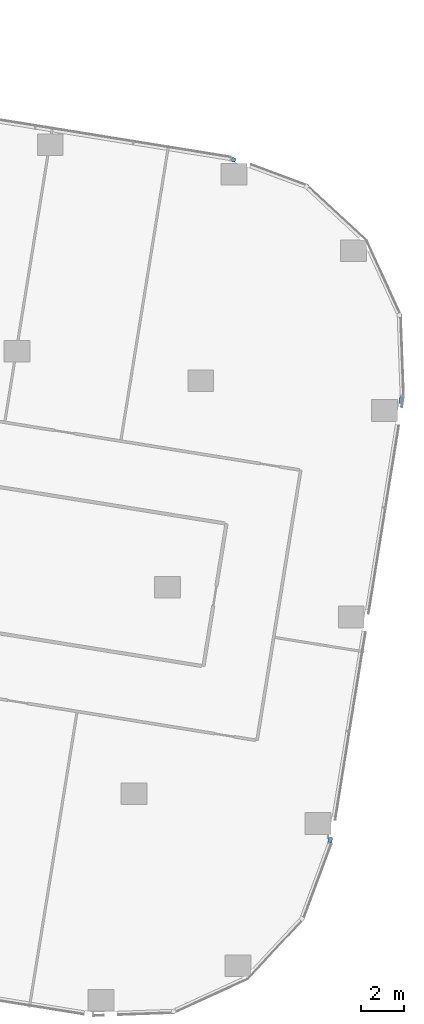
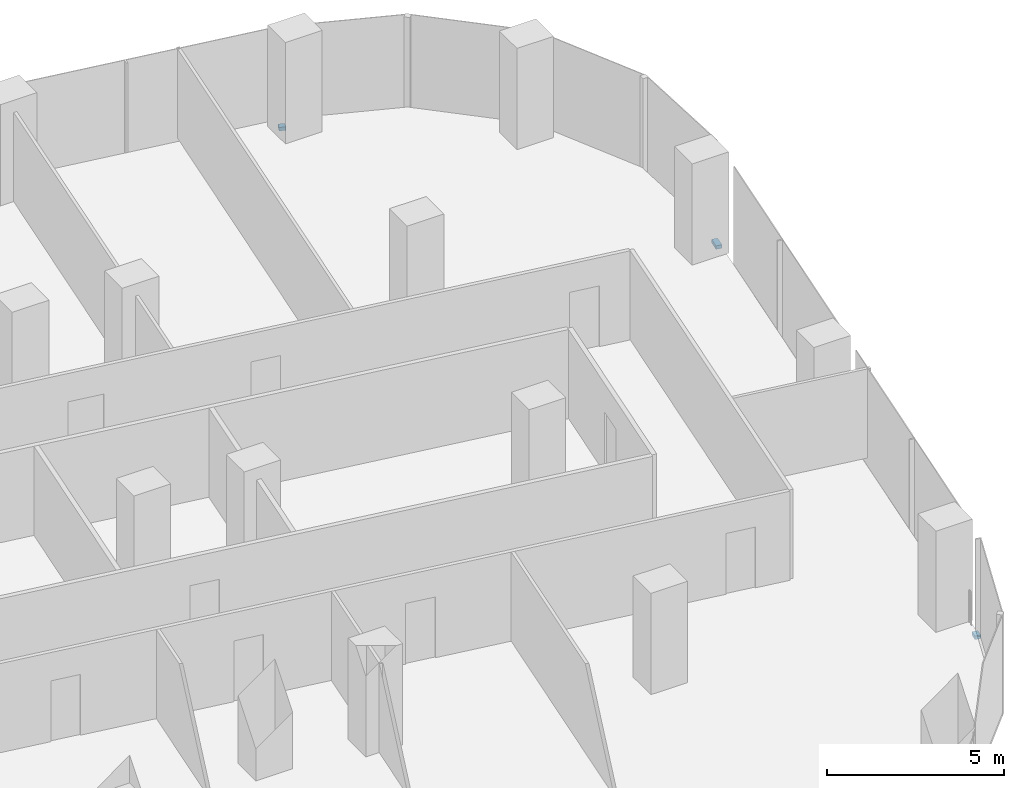
# One storey, part 17 of 34: 3 members, 2 elements without a shape of their own.
"""IFC4 building model written with IfcOpenShell, lengths in metres."""

from ifc_helpers import new_model, si_unit, direction, frame, origin, origin_2d, place, context, subcontext, project, spatial, rectangle, extrude, material, material_profile, profile_set, type_object, element, aggregate, save


model = new_model("IFC4")

# Units and contexts
model_context = context("Model", 3, precision=1e-05, world=origin(), true_north=direction((0.0, 1.0)))
body_context = subcontext(model_context, "Body", "Model", "MODEL_VIEW")
ifc_project = project(units=[si_unit("LENGTHUNIT", "METRE"), si_unit("AREAUNIT", "SQUARE_METRE"), si_unit("VOLUMEUNIT", "CUBIC_METRE"), si_unit("PLANEANGLEUNIT", "RADIAN"), si_unit("MASSUNIT", "GRAM", prefix="KILO")], contexts=[model_context])

# Site, building, storey
site_placement = place(None, origin())
site = spatial("IfcSite", under=ifc_project, at=site_placement, CompositionType="ELEMENT")
building_placement = place(site_placement, origin())
building = spatial("IfcBuilding", under=site, at=building_placement, Name="Orlundy Tower", CompositionType="ELEMENT")
storey_placement = place(building_placement, frame((0.0, 0.0, 127.199951171875)))
storey = spatial("IfcBuildingStorey", under=building, at=storey_placement, Name="L32", CompositionType="ELEMENT", Elevation=127.199951171875)

# Curtain wall, member
ifc_material_1 = material(Name="Aluminium bronze anodised", Category="aluminium")
curtain_wall_type = type_object("IfcCurtainWallType", Name="CW1 wall", PredefinedType="NOTDEFINED", material=ifc_material_1)
curtain_wall_1_placement = place(storey_placement, origin())
curtain_wall_1 = element("IfcCurtainWall", 1, at=curtain_wall_1_placement, inside=storey, type_object=curtain_wall_type, Name="CW1 run 07", PredefinedType="NOTDEFINED")
ifc_material_2 = material(Name="Aluminium bronze anodised", Category="aluminium")
ifc_material_profile = material_profile(ifc_material_2, rectangle(XDim=0.179931640625, YDim=0.1201171875, at=origin_2d()), Name="CW1 transom 180x120")
ifc_profile_set = profile_set([ifc_material_profile], Name="Aluminium bronze anodised")
member_type = type_object("IfcMemberType", Name="CW1 transom 180x120", PredefinedType="USERDEFINED", material=ifc_profile_set)
member_1_placement = place(storey_placement, frame((52.5947265625, 11.857666015625, -0.33984375), z_axis=(0.937154813765, -0.348913821792, 0.0), x_axis=(0.348913821792, 0.937154813765, 0.0)))
member_1 = element("IfcMember", 2, at=member_1_placement, type_object=member_type, Name="CW1 transom", ObjectType="TRANSOM", PredefinedType="USERDEFINED", context=body_context, shape_type="SweptSolid", body=[
    extrude(rectangle(XDim=0.179931640625, YDim=0.1201171875, at=origin_2d()), origin(), (0.0, 0.0, 1.0), 0.19384765625),
])
aggregate(curtain_wall_1, [member_1])

# Curtain wall, members
curtain_wall_2_placement = place(storey_placement, origin())
curtain_wall_2 = element("IfcCurtainWall", 3, at=curtain_wall_2_placement, inside=storey, type_object=curtain_wall_type, Name="CW1 run 011", PredefinedType="NOTDEFINED")
member_2_placement = place(storey_placement, frame((60.499267578125, 0.856689453125, -0.33984375), z_axis=(-0.15901506716, -0.987276156106, 0.0), x_axis=(0.987276156106, -0.15901506716, 0.0)))
member_2 = element("IfcMember", 4, at=member_2_placement, type_object=member_type, Name="CW1 transom", ObjectType="TRANSOM", PredefinedType="USERDEFINED", context=body_context, shape_type="SweptSolid", body=[
    extrude(rectangle(XDim=0.179931640625, YDim=0.1201171875, at=origin_2d()), origin(), (0.0, 0.0, 1.0), 0.35302734375),
])
member_3_placement = place(storey_placement, frame((57.1962890625, -19.60888671875, -0.33984375), z_axis=(-0.159394093986, -0.98721503372, 0.0), x_axis=(0.98721503372, -0.159394093986, 0.0)))
member_3 = element("IfcMember", 5, at=member_3_placement, type_object=member_type, Name="CW1 transom", ObjectType="TRANSOM", PredefinedType="USERDEFINED", context=body_context, shape_type="SweptSolid", body=[
    extrude(rectangle(XDim=0.179931640625, YDim=0.1201171875, at=origin_2d()), origin(), (0.0, 0.0, 1.0), 0.2373046875),
])
aggregate(curtain_wall_2, [member_2, member_3])

save(model, "model.ifc")
